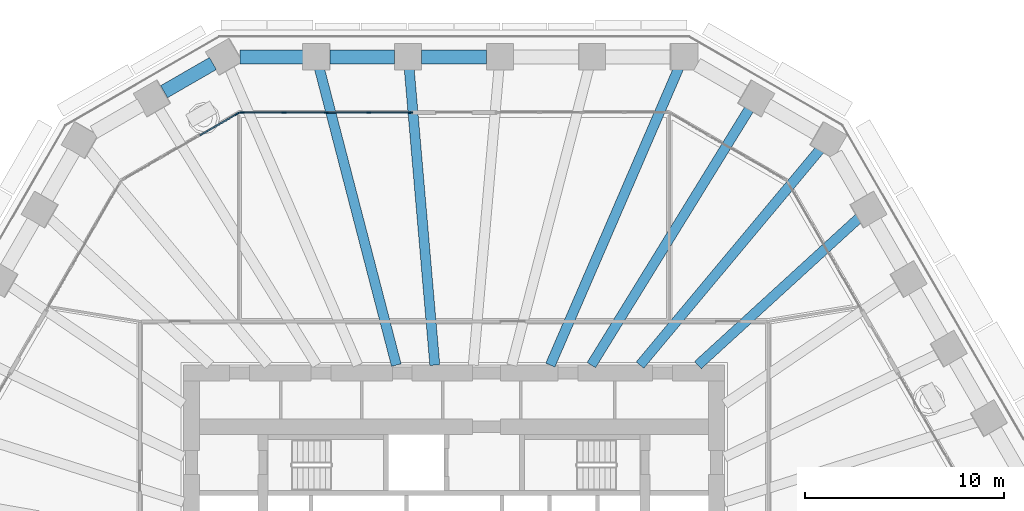
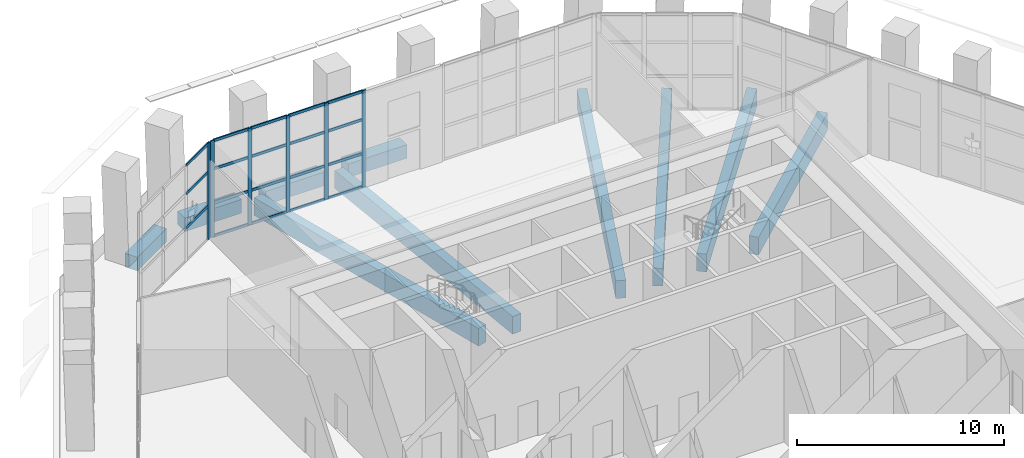
# One storey, part 7 of 22: 25 members, 10 beams, 2 elements without a shape of their own.
"""IFC4 building model written with IfcOpenShell, lengths in metres."""

from ifc_helpers import new_model, si_unit, direction, frame, origin, origin_2d, place, context, subcontext, project, spatial, rectangle, extrude, material, material_profile, profile_set, type_object, element, aggregate, save


model = new_model("IFC4")

# Units and contexts
model_context = context("Model", 3, precision=1e-05, world=origin(), true_north=direction((0.0, 1.0)))
body_context = subcontext(model_context, "Body", "Model", "MODEL_VIEW")
ifc_project = project(units=[si_unit("LENGTHUNIT", "METRE"), si_unit("AREAUNIT", "SQUARE_METRE"), si_unit("VOLUMEUNIT", "CUBIC_METRE"), si_unit("PLANEANGLEUNIT", "RADIAN"), si_unit("MASSUNIT", "GRAM", prefix="KILO")], contexts=[model_context])

# Site, building, storey
site_placement = place(None, origin())
site = spatial("IfcSite", under=ifc_project, at=site_placement, CompositionType="ELEMENT")
building_placement = place(site_placement, origin())
building = spatial("IfcBuilding", under=site, at=building_placement, Name="Frailejon Research Tower", CompositionType="ELEMENT")
storey_placement = place(building_placement, frame((0.0, 0.0, 107.199951171875)))
storey = spatial("IfcBuildingStorey", under=building, at=storey_placement, Name="L23", CompositionType="ELEMENT", Elevation=107.199951171875)

# Beams
ifc_material_1 = material(Name="Concrete C60/75", Category="concrete")
ifc_material_profile_1 = material_profile(ifc_material_1, rectangle(XDim=0.5, YDim=1.050048828125, at=origin_2d()), Name="Girder 500x1050")
ifc_profile_set_1 = profile_set([ifc_material_profile_1], Name="Concrete C60/75")
beam_type_1 = type_object("IfcBeamType", Name="Girder 500x1050", PredefinedType="BEAM", material=ifc_profile_set_1)
beam_1_placement = place(storey_placement, frame((20.41162109375, 18.6484375, -0.824951171875), z_axis=(-0.738268154385, -0.674507325551, 0.0), x_axis=(0.674507325551, -0.738268154385, 0.0)))
element("IfcBeam", 1, at=beam_1_placement, inside=storey, type_object=beam_type_1, Name="Girder 500x1050", PredefinedType="BEAM", context=body_context, shape_type="SweptSolid", body=[
    extrude(rectangle(XDim=0.5, YDim=1.050048828125, at=origin_2d()), origin(), (0.0, 0.0, 1.0), 11.04296875),
])
beam_2_placement = place(storey_placement, frame((18.447998046875, 22.1015625, -0.824951171875), z_axis=(-0.640804817588, -0.767703839873, 0.0), x_axis=(0.767703839873, -0.640804817588, 0.0)))
element("IfcBeam", 2, at=beam_2_placement, inside=storey, type_object=beam_type_1, Name="Girder 500x1050", PredefinedType="BEAM", context=body_context, shape_type="SweptSolid", body=[
    extrude(rectangle(XDim=0.5, YDim=1.050048828125, at=origin_2d()), origin(), (0.0, 0.0, 1.0), 14.2001953125),
])
beam_3_placement = place(storey_placement, frame((14.888916015625, 24.158935546875, -0.824951171875), z_axis=(-0.524660165256, -0.851311758989, 0.0), x_axis=(0.851311758989, -0.524660165256, 0.0)))
element("IfcBeam", 3, at=beam_3_placement, inside=storey, type_object=beam_type_1, Name="Girder 500x1050", PredefinedType="BEAM", context=body_context, shape_type="SweptSolid", body=[
    extrude(rectangle(XDim=0.5, YDim=1.050048828125, at=origin_2d()), origin(), (0.0, 0.0, 1.0), 15.222412109375),
])
beam_4_placement = place(storey_placement, frame((11.3056640625, 26.16259765625, -0.824951171875), z_axis=(-0.396677867887, -0.917957879823, 0.0), x_axis=(0.917957879823, -0.396677867887, 0.0)))
element("IfcBeam", 4, at=beam_4_placement, inside=storey, type_object=beam_type_1, Name="Girder 500x1050", PredefinedType="BEAM", context=body_context, shape_type="SweptSolid", body=[
    extrude(rectangle(XDim=0.5, YDim=1.050048828125, at=origin_2d()), origin(), (0.0, 0.0, 1.0), 16.300048828125),
])
beam_5_placement = place(storey_placement, frame((-2.26220703125, 26.17431640625, -0.824951171875), z_axis=(0.086106007727, -0.996285980747, 0.0), x_axis=(0.996285980747, 0.086106007727, 0.0)))
element("IfcBeam", 5, at=beam_5_placement, inside=storey, type_object=beam_type_1, Name="Girder 500x1050", PredefinedType="BEAM", context=body_context, shape_type="SweptSolid", body=[
    extrude(rectangle(XDim=0.5, YDim=1.050048828125, at=origin_2d()), origin(), (0.0, 0.0, 1.0), 15.0302734375),
])
beam_6_placement = place(storey_placement, frame((-6.785400390625, 26.170166015625, -0.824951171875), z_axis=(0.25098790797, -0.967990222085, 0.0), x_axis=(0.967990222085, 0.25098790797, 0.0)))
element("IfcBeam", 6, at=beam_6_placement, inside=storey, type_object=beam_type_1, Name="Girder 500x1050", PredefinedType="BEAM", context=body_context, shape_type="SweptSolid", body=[
    extrude(rectangle(XDim=0.5, YDim=1.050048828125, at=origin_2d()), origin(), (0.0, 0.0, 1.0), 15.46533203125),
])

# Curtain wall, members
ifc_material_2 = material(Name="Aluminium curtain wall", Category="aluminium")
curtain_wall_type = type_object("IfcCurtainWallType", Name="Sky lobby curtain wall system", PredefinedType="NOTDEFINED", material=ifc_material_2)
curtain_wall_1_placement = place(storey_placement, origin())
curtain_wall_1 = element("IfcCurtainWall", 7, at=curtain_wall_1_placement, inside=storey, type_object=curtain_wall_type, Name="Curtain wall L23", PredefinedType="NOTDEFINED")
ifc_material_3 = material(Name="Aluminium extrusion", Category="aluminium")
ifc_material_profile_2 = material_profile(ifc_material_3, rectangle(XDim=0.070068359375, YDim=0.219970703125, at=origin_2d()), Name="Sky lobby curtain wall mullion 70x220")
ifc_profile_set_2 = profile_set([ifc_material_profile_2], Name="Aluminium extrusion")
member_type_1 = type_object("IfcMemberType", Name="Sky lobby curtain wall mullion 70x220", PredefinedType="MULLION", material=ifc_profile_set_2)
member_1_placement = place(storey_placement, frame((-2.1923828125, 23.89990234375, 0.0), z_axis=(0.0, 0.0, 1.0), x_axis=(0.0, -1.0, 0.0)))
member_1 = element("IfcMember", 8, at=member_1_placement, type_object=member_type_1, Name="CW4-086 mullion 1", PredefinedType="MULLION", context=body_context, shape_type="SweptSolid", body=[
    extrude(rectangle(XDim=0.070068359375, YDim=0.219970703125, at=origin_2d()), origin(), (0.0, 0.0, 1.0), 5.699951171875),
])
member_2_placement = place(storey_placement, frame((-4.2900390625, 23.89990234375, 0.0), z_axis=(0.0, 0.0, 1.0), x_axis=(0.0, -1.0, 0.0)))
member_2 = element("IfcMember", 9, at=member_2_placement, type_object=member_type_1, Name="CW4-086 mullion 2", PredefinedType="MULLION", context=body_context, shape_type="SweptSolid", body=[
    extrude(rectangle(XDim=0.070068359375, YDim=0.219970703125, at=origin_2d()), origin(), (0.0, 0.0, 1.0), 5.699951171875),
])
member_3_placement = place(storey_placement, frame((-6.422607421875, 23.89990234375, 0.0), z_axis=(0.0, 0.0, 1.0), x_axis=(0.0, -1.0, 0.0)))
member_3 = element("IfcMember", 10, at=member_3_placement, type_object=member_type_1, Name="CW4-086 mullion 3", PredefinedType="MULLION", context=body_context, shape_type="SweptSolid", body=[
    extrude(rectangle(XDim=0.070068359375, YDim=0.219970703125, at=origin_2d()), origin(), (0.0, 0.0, 1.0), 5.699951171875),
])
member_4_placement = place(storey_placement, frame((-8.55517578125, 23.89990234375, 0.0), z_axis=(0.0, 0.0, 1.0), x_axis=(0.0, -1.0, 0.0)))
member_4 = element("IfcMember", 11, at=member_4_placement, type_object=member_type_1, Name="CW4-086 mullion 4", PredefinedType="MULLION", context=body_context, shape_type="SweptSolid", body=[
    extrude(rectangle(XDim=0.070068359375, YDim=0.219970703125, at=origin_2d()), origin(), (0.0, 0.0, 1.0), 5.699951171875),
])
member_5_placement = place(storey_placement, frame((-10.652587890625, 23.89990234375, 0.0), z_axis=(0.0, 0.0, 1.0), x_axis=(0.0, -1.0, 0.0)))
member_5 = element("IfcMember", 12, at=member_5_placement, type_object=member_type_1, Name="CW4-086 mullion 5", PredefinedType="MULLION", context=body_context, shape_type="SweptSolid", body=[
    extrude(rectangle(XDim=0.070068359375, YDim=0.219970703125, at=origin_2d()), origin(), (0.0, 0.0, 1.0), 5.699951171875),
])

# Curtain wall, member
curtain_wall_2_placement = place(storey_placement, origin())
curtain_wall_2 = element("IfcCurtainWall", 13, at=curtain_wall_2_placement, inside=storey, type_object=curtain_wall_type, Name="Curtain wall L23", PredefinedType="NOTDEFINED")
member_6_placement = place(storey_placement, frame((-10.904541015625, 23.83251953125, 0.0), z_axis=(0.0, 0.0, 1.0), x_axis=(0.499998258782, -0.866026409075, 0.0)))
member_6 = element("IfcMember", 14, at=member_6_placement, type_object=member_type_1, Name="CW4-087 mullion 1", PredefinedType="MULLION", context=body_context, shape_type="SweptSolid", body=[
    extrude(rectangle(XDim=0.070068359375, YDim=0.219970703125, at=origin_2d()), origin(), (0.0, 0.0, 1.0), 5.699951171875),
])

# Member
ifc_material_4 = material(Name="Aluminium extrusion", Category="aluminium")
ifc_material_profile_3 = material_profile(ifc_material_4, rectangle(XDim=0.070068359375, YDim=0.159912109375, at=origin_2d()), Name="Sky lobby curtain wall transom 70x160")
ifc_profile_set_3 = profile_set([ifc_material_profile_3], Name="Aluminium extrusion")
member_type_2 = type_object("IfcMemberType", Name="Sky lobby curtain wall transom 70x160", PredefinedType="USERDEFINED", material=ifc_profile_set_3)
member_7_placement = place(storey_placement, frame((-2.2275390625, 23.89990234375, 0.03515625), z_axis=(-1.0, 0.0, 0.0), x_axis=(0.0, -1.0, 0.0)))
member_7 = element("IfcMember", 15, at=member_7_placement, type_object=member_type_2, Name="CW4-086 transom 1.1", ObjectType="TRANSOM", PredefinedType="USERDEFINED", context=body_context, shape_type="SweptSolid", body=[
    extrude(rectangle(XDim=0.070068359375, YDim=0.159912109375, at=origin_2d()), origin(), (0.0, 0.0, 1.0), 2.027587890625),
])

member_8_placement = place(storey_placement, frame((-2.2275390625, 23.89990234375, 2.0), z_axis=(-1.0, 0.0, 0.0), x_axis=(0.0, -1.0, 0.0)))
member_8 = element("IfcMember", 16, at=member_8_placement, type_object=member_type_2, Name="CW4-086 transom 1.2", ObjectType="TRANSOM", PredefinedType="USERDEFINED", context=body_context, shape_type="SweptSolid", body=[
    extrude(rectangle(XDim=0.070068359375, YDim=0.159912109375, at=origin_2d()), origin(), (0.0, 0.0, 1.0), 2.027587890625),
])

member_9_placement = place(storey_placement, frame((-2.2275390625, 23.89990234375, 4.0), z_axis=(-1.0, 0.0, 0.0), x_axis=(0.0, -1.0, 0.0)))
member_9 = element("IfcMember", 17, at=member_9_placement, type_object=member_type_2, Name="CW4-086 transom 1.3", ObjectType="TRANSOM", PredefinedType="USERDEFINED", context=body_context, shape_type="SweptSolid", body=[
    extrude(rectangle(XDim=0.070068359375, YDim=0.159912109375, at=origin_2d()), origin(), (0.0, 0.0, 1.0), 2.027587890625),
])

member_10_placement = place(storey_placement, frame((-2.2275390625, 23.89990234375, 5.6650390625), z_axis=(-1.0, 0.0, 0.0), x_axis=(0.0, -1.0, 0.0)))
member_10 = element("IfcMember", 18, at=member_10_placement, type_object=member_type_2, Name="CW4-086 transom 1.4", ObjectType="TRANSOM", PredefinedType="USERDEFINED", context=body_context, shape_type="SweptSolid", body=[
    extrude(rectangle(XDim=0.070068359375, YDim=0.159912109375, at=origin_2d()), origin(), (0.0, 0.0, 1.0), 2.027587890625),
])

member_11_placement = place(storey_placement, frame((-4.324951171875, 23.89990234375, 0.03515625), z_axis=(-1.0, 0.0, 0.0), x_axis=(0.0, -1.0, 0.0)))
member_11 = element("IfcMember", 19, at=member_11_placement, type_object=member_type_2, Name="CW4-086 transom 2.1", ObjectType="TRANSOM", PredefinedType="USERDEFINED", context=body_context, shape_type="SweptSolid", body=[
    extrude(rectangle(XDim=0.070068359375, YDim=0.159912109375, at=origin_2d()), origin(), (0.0, 0.0, 1.0), 2.0625),
])

member_12_placement = place(storey_placement, frame((-4.324951171875, 23.89990234375, 2.0), z_axis=(-1.0, 0.0, 0.0), x_axis=(0.0, -1.0, 0.0)))
member_12 = element("IfcMember", 20, at=member_12_placement, type_object=member_type_2, Name="CW4-086 transom 2.2", ObjectType="TRANSOM", PredefinedType="USERDEFINED", context=body_context, shape_type="SweptSolid", body=[
    extrude(rectangle(XDim=0.070068359375, YDim=0.159912109375, at=origin_2d()), origin(), (0.0, 0.0, 1.0), 2.0625),
])

member_13_placement = place(storey_placement, frame((-4.324951171875, 23.89990234375, 4.0), z_axis=(-1.0, 0.0, 0.0), x_axis=(0.0, -1.0, 0.0)))
member_13 = element("IfcMember", 21, at=member_13_placement, type_object=member_type_2, Name="CW4-086 transom 2.3", ObjectType="TRANSOM", PredefinedType="USERDEFINED", context=body_context, shape_type="SweptSolid", body=[
    extrude(rectangle(XDim=0.070068359375, YDim=0.159912109375, at=origin_2d()), origin(), (0.0, 0.0, 1.0), 2.0625),
])

member_14_placement = place(storey_placement, frame((-4.324951171875, 23.89990234375, 5.6650390625), z_axis=(-1.0, 0.0, 0.0), x_axis=(0.0, -1.0, 0.0)))
member_14 = element("IfcMember", 22, at=member_14_placement, type_object=member_type_2, Name="CW4-086 transom 2.4", ObjectType="TRANSOM", PredefinedType="USERDEFINED", context=body_context, shape_type="SweptSolid", body=[
    extrude(rectangle(XDim=0.070068359375, YDim=0.159912109375, at=origin_2d()), origin(), (0.0, 0.0, 1.0), 2.0625),
])

member_15_placement = place(storey_placement, frame((-6.45751953125, 23.89990234375, 0.03515625), z_axis=(-1.0, 0.0, 0.0), x_axis=(0.0, -1.0, 0.0)))
member_15 = element("IfcMember", 23, at=member_15_placement, type_object=member_type_2, Name="CW4-086 transom 3.1", ObjectType="TRANSOM", PredefinedType="USERDEFINED", context=body_context, shape_type="SweptSolid", body=[
    extrude(rectangle(XDim=0.070068359375, YDim=0.159912109375, at=origin_2d()), origin(), (0.0, 0.0, 1.0), 2.0625),
])

member_16_placement = place(storey_placement, frame((-6.45751953125, 23.89990234375, 2.0), z_axis=(-1.0, 0.0, 0.0), x_axis=(0.0, -1.0, 0.0)))
member_16 = element("IfcMember", 24, at=member_16_placement, type_object=member_type_2, Name="CW4-086 transom 3.2", ObjectType="TRANSOM", PredefinedType="USERDEFINED", context=body_context, shape_type="SweptSolid", body=[
    extrude(rectangle(XDim=0.070068359375, YDim=0.159912109375, at=origin_2d()), origin(), (0.0, 0.0, 1.0), 2.0625),
])

member_17_placement = place(storey_placement, frame((-6.45751953125, 23.89990234375, 4.0), z_axis=(-1.0, 0.0, 0.0), x_axis=(0.0, -1.0, 0.0)))
member_17 = element("IfcMember", 25, at=member_17_placement, type_object=member_type_2, Name="CW4-086 transom 3.3", ObjectType="TRANSOM", PredefinedType="USERDEFINED", context=body_context, shape_type="SweptSolid", body=[
    extrude(rectangle(XDim=0.070068359375, YDim=0.159912109375, at=origin_2d()), origin(), (0.0, 0.0, 1.0), 2.0625),
])

member_18_placement = place(storey_placement, frame((-6.45751953125, 23.89990234375, 5.6650390625), z_axis=(-1.0, 0.0, 0.0), x_axis=(0.0, -1.0, 0.0)))
member_18 = element("IfcMember", 26, at=member_18_placement, type_object=member_type_2, Name="CW4-086 transom 3.4", ObjectType="TRANSOM", PredefinedType="USERDEFINED", context=body_context, shape_type="SweptSolid", body=[
    extrude(rectangle(XDim=0.070068359375, YDim=0.159912109375, at=origin_2d()), origin(), (0.0, 0.0, 1.0), 2.0625),
])

member_19_placement = place(storey_placement, frame((-8.590087890625, 23.89990234375, 0.03515625), z_axis=(-1.0, 0.0, 0.0), x_axis=(0.0, -1.0, 0.0)))
member_19 = element("IfcMember", 27, at=member_19_placement, type_object=member_type_2, Name="CW4-086 transom 4.1", ObjectType="TRANSOM", PredefinedType="USERDEFINED", context=body_context, shape_type="SweptSolid", body=[
    extrude(rectangle(XDim=0.070068359375, YDim=0.159912109375, at=origin_2d()), origin(), (0.0, 0.0, 1.0), 2.027587890625),
])

member_20_placement = place(storey_placement, frame((-8.590087890625, 23.89990234375, 2.0), z_axis=(-1.0, 0.0, 0.0), x_axis=(0.0, -1.0, 0.0)))
member_20 = element("IfcMember", 28, at=member_20_placement, type_object=member_type_2, Name="CW4-086 transom 4.2", ObjectType="TRANSOM", PredefinedType="USERDEFINED", context=body_context, shape_type="SweptSolid", body=[
    extrude(rectangle(XDim=0.070068359375, YDim=0.159912109375, at=origin_2d()), origin(), (0.0, 0.0, 1.0), 2.027587890625),
])

member_21_placement = place(storey_placement, frame((-8.590087890625, 23.89990234375, 4.0), z_axis=(-1.0, 0.0, 0.0), x_axis=(0.0, -1.0, 0.0)))
member_21 = element("IfcMember", 29, at=member_21_placement, type_object=member_type_2, Name="CW4-086 transom 4.3", ObjectType="TRANSOM", PredefinedType="USERDEFINED", context=body_context, shape_type="SweptSolid", body=[
    extrude(rectangle(XDim=0.070068359375, YDim=0.159912109375, at=origin_2d()), origin(), (0.0, 0.0, 1.0), 2.027587890625),
])

member_22_placement = place(storey_placement, frame((-8.590087890625, 23.89990234375, 5.6650390625), z_axis=(-1.0, 0.0, 0.0), x_axis=(0.0, -1.0, 0.0)))
member_22 = element("IfcMember", 30, at=member_22_placement, type_object=member_type_2, Name="CW4-086 transom 4.4", ObjectType="TRANSOM", PredefinedType="USERDEFINED", context=body_context, shape_type="SweptSolid", body=[
    extrude(rectangle(XDim=0.070068359375, YDim=0.159912109375, at=origin_2d()), origin(), (0.0, 0.0, 1.0), 2.027587890625),
])

aggregate(curtain_wall_1, [member_1, member_2, member_3, member_4, member_5, member_7, member_8, member_9, member_10, member_11, member_12, member_13, member_14, member_15, member_16, member_17, member_18, member_19, member_20, member_21, member_22])

member_23_placement = place(storey_placement, frame((-10.934814453125, 23.81494140625, 2.0), z_axis=(-0.866059014716, -0.499941779639, 0.0), x_axis=(0.499941779639, -0.866059014716, 0.0)))
member_23 = element("IfcMember", 31, at=member_23_placement, type_object=member_type_2, Name="CW4-087 transom 1.2", ObjectType="TRANSOM", PredefinedType="USERDEFINED", context=body_context, shape_type="SweptSolid", body=[
    extrude(rectangle(XDim=0.070068359375, YDim=0.159912109375, at=origin_2d()), origin(), (0.0, 0.0, 1.0), 2.119873046875),
])

member_24_placement = place(storey_placement, frame((-10.934814453125, 23.81494140625, 4.0), z_axis=(-0.866059014716, -0.499941779639, 0.0), x_axis=(0.499941779639, -0.866059014716, 0.0)))
member_24 = element("IfcMember", 32, at=member_24_placement, type_object=member_type_2, Name="CW4-087 transom 1.3", ObjectType="TRANSOM", PredefinedType="USERDEFINED", context=body_context, shape_type="SweptSolid", body=[
    extrude(rectangle(XDim=0.070068359375, YDim=0.159912109375, at=origin_2d()), origin(), (0.0, 0.0, 1.0), 2.119873046875),
])

member_25_placement = place(storey_placement, frame((-10.934814453125, 23.81494140625, 5.6650390625), z_axis=(-0.866059014716, -0.499941779639, 0.0), x_axis=(0.499941779639, -0.866059014716, 0.0)))
member_25 = element("IfcMember", 33, at=member_25_placement, type_object=member_type_2, Name="CW4-087 transom 1.4", ObjectType="TRANSOM", PredefinedType="USERDEFINED", context=body_context, shape_type="SweptSolid", body=[
    extrude(rectangle(XDim=0.070068359375, YDim=0.159912109375, at=origin_2d()), origin(), (0.0, 0.0, 1.0), 2.119873046875),
])

aggregate(curtain_wall_2, [member_6, member_23, member_24, member_25])

# Beams
ifc_material_5 = material(Name="Concrete C60/75", Category="concrete")
ifc_material_profile_4 = material_profile(ifc_material_5, rectangle(XDim=0.699951171875, YDim=0.800048828125, at=origin_2d()), Name="Spandrel 700x800")
ifc_profile_set_4 = profile_set([ifc_material_profile_4], Name="Concrete C60/75")
beam_type_2 = type_object("IfcBeamType", Name="Spandrel 700x800", PredefinedType="BEAM", material=ifc_profile_set_4)
for number, where, z_axis, x_axis, name in (
    (34, (1.632568359375, 26.699951171875, -0.75), (-1.0, 0.0, 0.0), (0.0, -1.0, 0.0), "Spandrel 700x800"),
    (35, (-2.982666015625, 26.699951171875, -0.75), (-1.0, 0.0, 0.0), (0.0, -1.0, 0.0), "Spandrel 700x800"),
):
    element("IfcBeam", number, at=place(storey_placement, frame(where, z_axis=z_axis, x_axis=x_axis)), inside=storey, type_object=beam_type_2, Name=name, PredefinedType="BEAM", context=body_context, shape_type="SweptSolid", body=[
        extrude(rectangle(XDim=0.699951171875, YDim=0.800048828125, at=origin_2d()), origin(), (0.0, 0.0, 1.0), 3.26513671875),
    ])
beam_7_placement = place(storey_placement, frame((-7.59765625, 26.699951171875, -0.75), z_axis=(-1.0, 0.0, 0.0), x_axis=(0.0, -1.0, 0.0)))
element("IfcBeam", 36, at=beam_7_placement, inside=storey, type_object=beam_type_2, Name="Spandrel 700x800", PredefinedType="BEAM", context=body_context, shape_type="SweptSolid", body=[
    extrude(rectangle(XDim=0.699951171875, YDim=0.800048828125, at=origin_2d()), origin(), (0.0, 0.0, 1.0), 3.160888671875),
])
beam_8_placement = place(storey_placement, frame((-12.12255859375, 26.362548828125, -0.75), z_axis=(-0.865989280058, -0.500062562911, 0.0), x_axis=(0.500062562911, -0.865989280058, 0.0)))
element("IfcBeam", 37, at=beam_8_placement, inside=storey, type_object=beam_type_2, Name="Spandrel 700x800", PredefinedType="BEAM", context=body_context, shape_type="SweptSolid", body=[
    extrude(rectangle(XDim=0.699951171875, YDim=0.800048828125, at=origin_2d()), origin(), (0.0, 0.0, 1.0), 2.837646484375),
])

save(model, "model.ifc")
